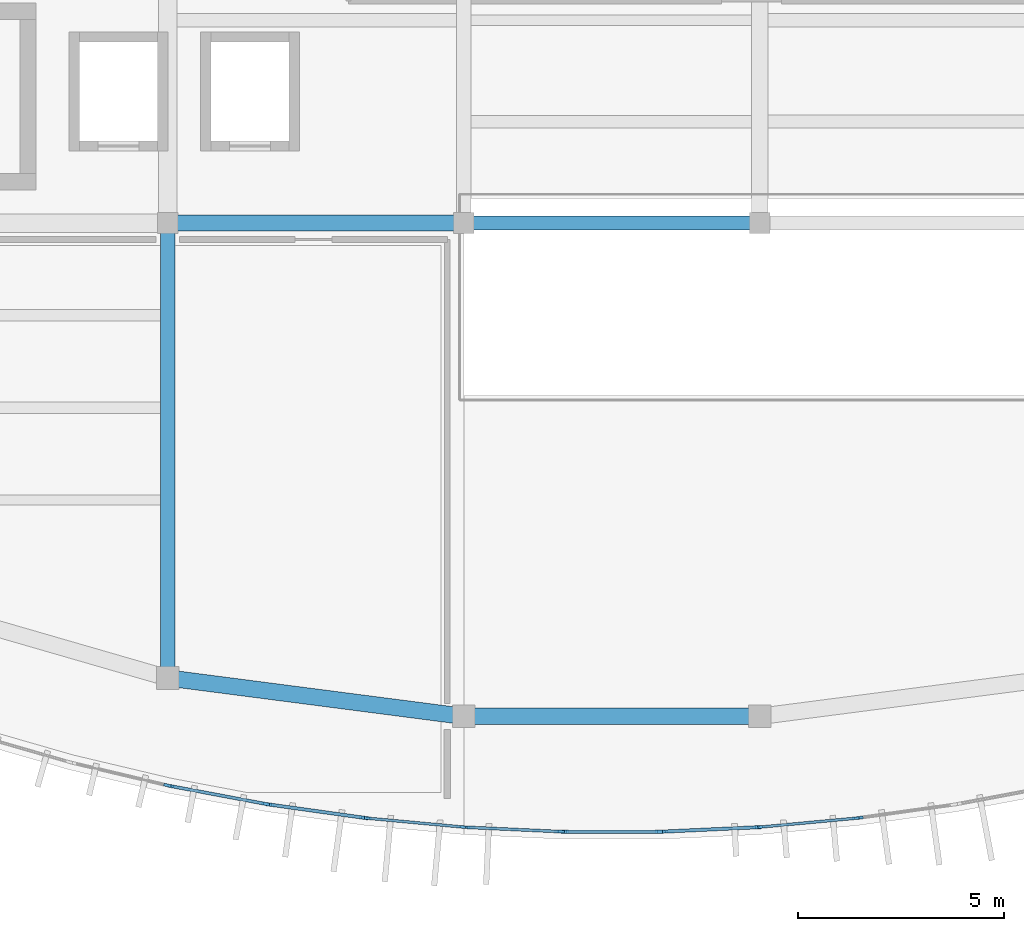
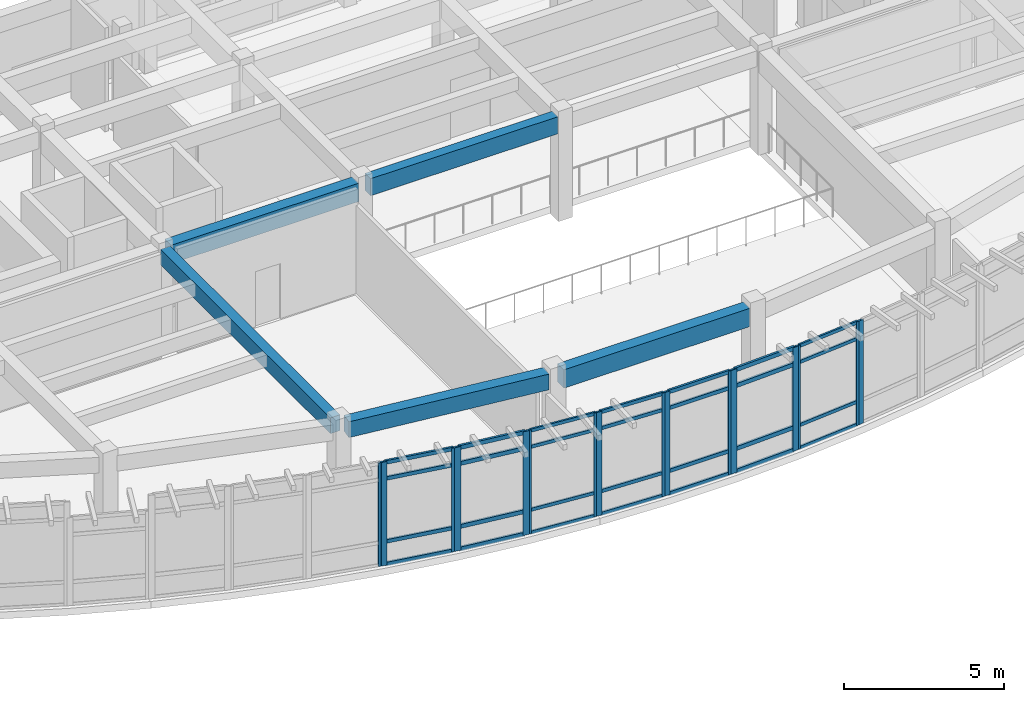
# One storey, part 22 of 60: 44 members, 5 beams, 9 elements without a shape of their own.
"""IFC4 building model written with IfcOpenShell, lengths in metres."""

from ifc_helpers import new_model, si_unit, direction, frame, origin, origin_2d, place, context, subcontext, project, spatial, rectangle, extrude, material, layer, layer_set, material_profile, profile_set, type_object, element, aggregate, save


model = new_model("IFC4")

# Units and contexts
model_context = context("Model", 3, precision=1e-05, world=origin(), true_north=direction((0.0, 1.0)))
body_context = subcontext(model_context, "Body", "Model", "MODEL_VIEW")
ifc_project = project(units=[si_unit("LENGTHUNIT", "METRE"), si_unit("AREAUNIT", "SQUARE_METRE"), si_unit("VOLUMEUNIT", "CUBIC_METRE"), si_unit("PLANEANGLEUNIT", "RADIAN"), si_unit("MASSUNIT", "GRAM", prefix="KILO")], contexts=[model_context])

# Site, building, storey
site_placement = place(None, origin())
site = spatial("IfcSite", under=ifc_project, at=site_placement, CompositionType="ELEMENT")
building_placement = place(site_placement, origin())
building = spatial("IfcBuilding", under=site, at=building_placement, Name="Brisavento Harbour Community Centre", CompositionType="ELEMENT")
storey_placement = place(building_placement, frame((0.0, 0.0, 4.5)))
storey = spatial("IfcBuildingStorey", under=building, at=storey_placement, Name="L01", CompositionType="ELEMENT", Elevation=4.5)

# Beams
ifc_material_1 = material(Name="Concrete C35/45", Category="concrete")
ifc_material_profile_1 = material_profile(ifc_material_1, rectangle(XDim=0.35009765625, YDim=0.60009765625, at=origin_2d()), Name="Concrete C35/45")
ifc_profile_set_1 = profile_set([ifc_material_profile_1], Name="Concrete C35/45")
beam_type_1 = type_object("IfcBeamType", Name="BM-RC-350x600", PredefinedType="BEAM", material=ifc_profile_set_1)
beam_1_placement = place(storey_placement, frame((129.60009765625, 4.178955078125, 3.64990234375), z_axis=(0.0, 1.0, 0.0), x_axis=(-1.0, 0.0, 0.0)))
element("IfcBeam", 1, at=beam_1_placement, inside=storey, type_object=beam_type_1, Name="L01 primary girder Y0509", PredefinedType="BEAM", context=body_context, shape_type="SweptSolid", body=[
    extrude(rectangle(XDim=0.35009765625, YDim=0.60009765625, at=origin_2d()), origin(), (0.0, 0.0, 1.0), 10.60107421875),
])
ifc_material_profile_2 = material_profile(ifc_material_1, rectangle(XDim=0.35009765625, YDim=0.64990234375, at=origin_2d()), Name="Concrete C35/45")
ifc_profile_set_2 = profile_set([ifc_material_profile_2], Name="Concrete C35/45")
beam_type_2 = type_object("IfcBeamType", Name="BM-RC-350x650", PredefinedType="BEAM", material=ifc_profile_set_2)
beam_2_placement = place(storey_placement, frame((137.02001953125, 15.0, 3.625), z_axis=(1.0, 0.0, 0.0), x_axis=(0.0, 1.0, 0.0)))
element("IfcBeam", 2, at=beam_2_placement, inside=storey, type_object=beam_type_2, Name="L01 primary girder X0413", PredefinedType="BEAM", context=body_context, shape_type="SweptSolid", body=[
    extrude(rectangle(XDim=0.35009765625, YDim=0.64990234375, at=origin_2d()), origin(), (0.0, 0.0, 1.0), 6.760009765625),
])
ifc_material_profile_3 = material_profile(ifc_material_1, rectangle(XDim=0.39990234375, YDim=0.699951171875, at=origin_2d()), Name="Concrete C35/45")
ifc_profile_set_3 = profile_set([ifc_material_profile_3], Name="Concrete C35/45")
beam_type_3 = type_object("IfcBeamType", Name="BM-RC-400x700", PredefinedType="BEAM", material=ifc_profile_set_3)
beam_3_placement = place(storey_placement, frame((137.044921875, 3.0, 3.60009765625), z_axis=(1.0, 0.0, 0.0), x_axis=(0.0, 1.0, 0.0)))
element("IfcBeam", 3, at=beam_3_placement, inside=storey, type_object=beam_type_3, Name="L01 primary girder X0407", PredefinedType="BEAM", context=body_context, shape_type="SweptSolid", body=[
    extrude(rectangle(XDim=0.39990234375, YDim=0.699951171875, at=origin_2d()), origin(), (0.0, 0.0, 1.0), 6.7099609375),
])
beam_4_placement = place(storey_placement, frame((129.820068359375, 15.0, 3.60009765625), z_axis=(1.0, 0.0, 0.0), x_axis=(0.0, 1.0, 0.0)))
element("IfcBeam", 4, at=beam_4_placement, inside=storey, type_object=beam_type_3, Name="L01 primary girder X0412", PredefinedType="BEAM", context=body_context, shape_type="SweptSolid", body=[
    extrude(rectangle(XDim=0.39990234375, YDim=0.699951171875, at=origin_2d()), origin(), (0.0, 0.0, 1.0), 6.760009765625),
])
ifc_material_profile_4 = material_profile(ifc_material_1, rectangle(XDim=0.39990234375, YDim=0.60009765625, at=origin_2d()), Name="Concrete C35/45")
ifc_profile_set_4 = profile_set([ifc_material_profile_4], Name="Concrete C35/45")
beam_type_4 = type_object("IfcBeamType", Name="BM-SPN-400x600", PredefinedType="SPANDREL", material=ifc_profile_set_4)
beam_5_placement = place(storey_placement, frame((129.843017578125, 3.902587890625, 3.64990234375), z_axis=(0.991687856755, -0.128666991742, 0.0), x_axis=(0.128666991742, 0.991687856755, 0.0)))
element("IfcBeam", 5, at=beam_5_placement, inside=storey, type_object=beam_type_4, Name="L01 curved perimeter spandrel 0539", PredefinedType="SPANDREL", context=body_context, shape_type="SweptSolid", body=[
    extrude(rectangle(XDim=0.39990234375, YDim=0.60009765625, at=origin_2d()), origin(), (0.0, 0.0, 1.0), 6.77001953125),
])

# Curtain wall, members
ifc_material_2 = material(Name="Marine-anodised aluminium AW-6063-T6", Category="aluminium")
ifc_layer_1 = layer(ifc_material_2, 0.179931640625, Name="Marine-anodised aluminium AW-6063-T6")
ifc_layer_set_1 = layer_set([ifc_layer_1], Name="Marine-anodised aluminium AW-6063-T6")
curtain_wall_type_1 = type_object("IfcCurtainWallType", Name="CW-SYS-13", PredefinedType="USERDEFINED", material=ifc_layer_set_1)
curtain_wall_1_placement = place(storey_placement, origin())
curtain_wall_1 = element("IfcCurtainWall", 6, at=curtain_wall_1_placement, inside=storey, type_object=curtain_wall_type_1, Name="L01 V3 unitised curtain wall 069", ObjectType="UNITISED CURTAIN WALL", PredefinedType="USERDEFINED")
ifc_material_profile_5 = material_profile(ifc_material_2, rectangle(XDim=0.06494140625, YDim=0.1650390625, at=origin_2d()), Name="Marine-anodised aluminium AW-6063-T6")
ifc_profile_set_5 = profile_set([ifc_material_profile_5], Name="Marine-anodised aluminium AW-6063-T6")
member_type_1 = type_object("IfcMemberType", Name="CWM-01", PredefinedType="MULLION", material=ifc_profile_set_5)
member_1_placement = place(storey_placement, frame((136.766357421875, 0.30859375, 0.0), z_axis=(0.0, 0.0, 1.0), x_axis=(-0.092278635218, -0.995733224053, 0.0)))
member_1 = element("IfcMember", 7, at=member_1_placement, type_object=member_type_1, Name="CW-13 mullion 1", PredefinedType="MULLION", context=body_context, shape_type="SweptSolid", body=[
    extrude(rectangle(XDim=0.06494140625, YDim=0.1650390625, at=origin_2d()), origin(), (0.0, 0.0, 1.0), 3.949951171875),
])
member_2_placement = place(storey_placement, frame((134.466796875, 0.521728515625, 0.0), z_axis=(0.0, 0.0, 1.0), x_axis=(-0.092278635218, -0.995733224053, 0.0)))
member_2 = element("IfcMember", 8, at=member_2_placement, type_object=member_type_1, Name="CW-13 mullion 2", PredefinedType="MULLION", context=body_context, shape_type="SweptSolid", body=[
    extrude(rectangle(XDim=0.06494140625, YDim=0.1650390625, at=origin_2d()), origin(), (0.0, 0.0, 1.0), 3.949951171875),
])

ifc_layer_2 = layer(ifc_material_2, 0.179931640625, Name="Marine-anodised aluminium AW-6063-T6")
ifc_layer_set_2 = layer_set([ifc_layer_2], Name="Marine-anodised aluminium AW-6063-T6")
curtain_wall_type_2 = type_object("IfcCurtainWallType", Name="CW-SYS-17", PredefinedType="USERDEFINED", material=ifc_layer_set_2)
curtain_wall_2_placement = place(storey_placement, origin())
curtain_wall_2 = element("IfcCurtainWall", 9, at=curtain_wall_2_placement, inside=storey, type_object=curtain_wall_type_2, Name="L01 V3 unitised curtain wall 073", ObjectType="UNITISED CURTAIN WALL", PredefinedType="USERDEFINED")
member_3_placement = place(storey_placement, frame((146.333251953125, 0.521728515625, 0.0), z_axis=(0.0, 0.0, 1.0), x_axis=(0.092278635218, -0.995733224053, 0.0)))
member_3 = element("IfcMember", 10, at=member_3_placement, type_object=member_type_1, Name="CW-17 mullion 1", PredefinedType="MULLION", context=body_context, shape_type="SweptSolid", body=[
    extrude(rectangle(XDim=0.06494140625, YDim=0.1650390625, at=origin_2d()), origin(), (0.0, 0.0, 1.0), 3.949951171875),
])
member_4_placement = place(storey_placement, frame((144.03369140625, 0.30859375, 0.0), z_axis=(0.0, 0.0, 1.0), x_axis=(0.092278635218, -0.995733224053, 0.0)))
member_4 = element("IfcMember", 11, at=member_4_placement, type_object=member_type_1, Name="CW-17 mullion 2", PredefinedType="MULLION", context=body_context, shape_type="SweptSolid", body=[
    extrude(rectangle(XDim=0.06494140625, YDim=0.1650390625, at=origin_2d()), origin(), (0.0, 0.0, 1.0), 3.949951171875),
])

# Curtain wall, member
ifc_layer_3 = layer(ifc_material_2, 0.179931640625, Name="Marine-anodised aluminium AW-6063-T6")
ifc_layer_set_3 = layer_set([ifc_layer_3], Name="Marine-anodised aluminium AW-6063-T6")
curtain_wall_type_3 = type_object("IfcCurtainWallType", Name="CW-SYS-10", PredefinedType="USERDEFINED", material=ifc_layer_set_3)
curtain_wall_3_placement = place(storey_placement, origin())
curtain_wall_3 = element("IfcCurtainWall", 12, at=curtain_wall_3_placement, inside=storey, type_object=curtain_wall_type_3, Name="L01 V3 unitised curtain wall 066", ObjectType="UNITISED CURTAIN WALL", PredefinedType="USERDEFINED")
ifc_material_profile_6 = material_profile(ifc_material_2, rectangle(XDim=0.070068359375, YDim=0.179931640625, at=origin_2d()), Name="Marine-anodised aluminium AW-6063-T6")
ifc_profile_set_6 = profile_set([ifc_material_profile_6], Name="Marine-anodised aluminium AW-6063-T6")
member_type_2 = type_object("IfcMemberType", Name="CWM-02", PredefinedType="MULLION", material=ifc_profile_set_6)
member_5_placement = place(storey_placement, frame((129.590087890625, 1.3212890625, 0.0), z_axis=(0.0, 0.0, 1.0), x_axis=(-0.230804675748, -0.973000103624, 0.0)))
member_5 = element("IfcMember", 13, at=member_5_placement, type_object=member_type_2, Name="CW-10 mullion 1", PredefinedType="MULLION", context=body_context, shape_type="SweptSolid", body=[
    extrude(rectangle(XDim=0.070068359375, YDim=0.179931640625, at=origin_2d()), origin(), (0.0, 0.0, 1.0), 3.949951171875),
])
aggregate(curtain_wall_3, [member_5])

# Curtain wall, members
ifc_layer_4 = layer(ifc_material_2, 0.179931640625, Name="Marine-anodised aluminium AW-6063-T6")
ifc_layer_set_4 = layer_set([ifc_layer_4], Name="Marine-anodised aluminium AW-6063-T6")
curtain_wall_type_4 = type_object("IfcCurtainWallType", Name="CW-SYS-14", PredefinedType="USERDEFINED", material=ifc_layer_set_4)
curtain_wall_4_placement = place(storey_placement, origin())
curtain_wall_4 = element("IfcCurtainWall", 14, at=curtain_wall_4_placement, inside=storey, type_object=curtain_wall_type_4, Name="L01 V3 unitised curtain wall 070", ObjectType="UNITISED CURTAIN WALL", PredefinedType="USERDEFINED")
member_6_placement = place(storey_placement, frame((139.1552734375, 0.196044921875, 0.0), z_axis=(0.0, 0.0, 1.0), x_axis=(-0.046185855346, -0.998932863993, 0.0)))
member_6 = element("IfcMember", 15, at=member_6_placement, type_object=member_type_2, Name="CW-14 mullion 1", PredefinedType="MULLION", context=body_context, shape_type="SweptSolid", body=[
    extrude(rectangle(XDim=0.070068359375, YDim=0.179931640625, at=origin_2d()), origin(), (0.0, 0.0, 1.0), 3.949951171875),
])
member_7_placement = place(storey_placement, frame((136.861328125, 0.30224609375, 0.0), z_axis=(0.0, 0.0, 1.0), x_axis=(-0.046185855346, -0.998932863993, 0.0)))
member_7 = element("IfcMember", 16, at=member_7_placement, type_object=member_type_2, Name="CW-14 mullion 2", PredefinedType="MULLION", context=body_context, shape_type="SweptSolid", body=[
    extrude(rectangle(XDim=0.070068359375, YDim=0.179931640625, at=origin_2d()), origin(), (0.0, 0.0, 1.0), 3.949951171875),
])

# Curtain wall, member
ifc_layer_5 = layer(ifc_material_2, 0.179931640625, Name="Marine-anodised aluminium AW-6063-T6")
ifc_layer_set_5 = layer_set([ifc_layer_5], Name="Marine-anodised aluminium AW-6063-T6")
curtain_wall_type_5 = type_object("IfcCurtainWallType", Name="CW-SYS-18", PredefinedType="USERDEFINED", material=ifc_layer_set_5)
curtain_wall_5_placement = place(storey_placement, origin())
curtain_wall_5 = element("IfcCurtainWall", 17, at=curtain_wall_5_placement, inside=storey, type_object=curtain_wall_type_5, Name="L01 V3 unitised curtain wall 074", ObjectType="UNITISED CURTAIN WALL", PredefinedType="USERDEFINED")
member_8_placement = place(storey_placement, frame((146.427490234375, 0.532958984375, 0.0), z_axis=(0.0, 0.0, 1.0), x_axis=(0.138476944024, -0.990365657711, 0.0)))
member_8 = element("IfcMember", 18, at=member_8_placement, type_object=member_type_2, Name="CW-18 mullion 2", PredefinedType="MULLION", context=body_context, shape_type="SweptSolid", body=[
    extrude(rectangle(XDim=0.070068359375, YDim=0.179931640625, at=origin_2d()), origin(), (0.0, 0.0, 1.0), 3.949951171875),
])
aggregate(curtain_wall_5, [member_8])

# Curtain wall, members
ifc_layer_6 = layer(ifc_material_2, 0.179931640625, Name="Marine-anodised aluminium AW-6063-T6")
ifc_layer_set_6 = layer_set([ifc_layer_6], Name="Marine-anodised aluminium AW-6063-T6")
curtain_wall_type_6 = type_object("IfcCurtainWallType", Name="CW-SYS-11", PredefinedType="USERDEFINED", material=ifc_layer_set_6)
curtain_wall_6_placement = place(storey_placement, origin())
curtain_wall_6 = element("IfcCurtainWall", 19, at=curtain_wall_6_placement, inside=storey, type_object=curtain_wall_type_6, Name="L01 V3 unitised curtain wall 067", ObjectType="UNITISED CURTAIN WALL", PredefinedType="USERDEFINED")
ifc_material_profile_7 = material_profile(ifc_material_2, rectangle(XDim=0.074951171875, YDim=0.18994140625, at=origin_2d()), Name="Marine-anodised aluminium AW-6063-T6")
ifc_profile_set_7 = profile_set([ifc_material_profile_7], Name="Marine-anodised aluminium AW-6063-T6")
member_type_3 = type_object("IfcMemberType", Name="CWM-03", PredefinedType="MULLION", material=ifc_profile_set_7)
member_9_placement = place(storey_placement, frame((131.978759765625, 0.8701171875, 0.0), z_axis=(0.0, 0.0, 1.0), x_axis=(-0.184664942245, -0.98280153597, 0.0)))
member_9 = element("IfcMember", 20, at=member_9_placement, type_object=member_type_3, Name="CW-11 mullion 1", PredefinedType="MULLION", context=body_context, shape_type="SweptSolid", body=[
    extrude(rectangle(XDim=0.074951171875, YDim=0.18994140625, at=origin_2d()), origin(), (0.0, 0.0, 1.0), 3.949951171875),
])
member_10_placement = place(storey_placement, frame((129.687744140625, 1.300537109375, 0.0), z_axis=(0.0, 0.0, 1.0), x_axis=(-0.184664942245, -0.98280153597, 0.0)))
member_10 = element("IfcMember", 21, at=member_10_placement, type_object=member_type_3, Name="CW-11 mullion 2", PredefinedType="MULLION", context=body_context, shape_type="SweptSolid", body=[
    extrude(rectangle(XDim=0.074951171875, YDim=0.18994140625, at=origin_2d()), origin(), (0.0, 0.0, 1.0), 3.949951171875),
])

ifc_layer_7 = layer(ifc_material_2, 0.179931640625, Name="Marine-anodised aluminium AW-6063-T6")
ifc_layer_set_7 = layer_set([ifc_layer_7], Name="Marine-anodised aluminium AW-6063-T6")
curtain_wall_type_7 = type_object("IfcCurtainWallType", Name="CW-SYS-15", PredefinedType="USERDEFINED", material=ifc_layer_set_7)
curtain_wall_7_placement = place(storey_placement, origin())
curtain_wall_7 = element("IfcCurtainWall", 22, at=curtain_wall_7_placement, inside=storey, type_object=curtain_wall_type_7, Name="L01 V3 unitised curtain wall 071", ObjectType="UNITISED CURTAIN WALL", PredefinedType="USERDEFINED")
member_11_placement = place(storey_placement, frame((141.54443359375, 0.19384765625, 0.0), z_axis=(0.0, 0.0, 1.0), x_axis=(0.0, -1.0, 0.0)))
member_11 = element("IfcMember", 23, at=member_11_placement, type_object=member_type_3, Name="CW-15 mullion 1", PredefinedType="MULLION", context=body_context, shape_type="SweptSolid", body=[
    extrude(rectangle(XDim=0.074951171875, YDim=0.18994140625, at=origin_2d()), origin(), (0.0, 0.0, 1.0), 3.949951171875),
])
member_12_placement = place(storey_placement, frame((139.255615234375, 0.19384765625, 0.0), z_axis=(0.0, 0.0, 1.0), x_axis=(0.0, -1.0, 0.0)))
member_12 = element("IfcMember", 24, at=member_12_placement, type_object=member_type_3, Name="CW-15 mullion 2", PredefinedType="MULLION", context=body_context, shape_type="SweptSolid", body=[
    extrude(rectangle(XDim=0.074951171875, YDim=0.18994140625, at=origin_2d()), origin(), (0.0, 0.0, 1.0), 3.949951171875),
])

ifc_layer_8 = layer(ifc_material_2, 0.179931640625, Name="Marine-anodised aluminium AW-6063-T6")
ifc_layer_set_8 = layer_set([ifc_layer_8], Name="Marine-anodised aluminium AW-6063-T6")
curtain_wall_type_8 = type_object("IfcCurtainWallType", Name="CW-SYS-12", PredefinedType="USERDEFINED", material=ifc_layer_set_8)
curtain_wall_8_placement = place(storey_placement, origin())
curtain_wall_8 = element("IfcCurtainWall", 25, at=curtain_wall_8_placement, inside=storey, type_object=curtain_wall_type_8, Name="L01 V3 unitised curtain wall 068", ObjectType="UNITISED CURTAIN WALL", PredefinedType="USERDEFINED")
ifc_material_profile_8 = material_profile(ifc_material_2, rectangle(XDim=0.080078125, YDim=0.2099609375, at=origin_2d()), Name="Marine-anodised aluminium AW-6063-T6")
ifc_profile_set_8 = profile_set([ifc_material_profile_8], Name="Marine-anodised aluminium AW-6063-T6")
member_type_4 = type_object("IfcMemberType", Name="CWM-04", PredefinedType="MULLION", material=ifc_profile_set_8)
member_13_placement = place(storey_placement, frame((134.367431640625, 0.53369140625, 0.0), z_axis=(0.0, 0.0, 1.0), x_axis=(-0.138476944024, -0.990365657711, 0.0)))
member_13 = element("IfcMember", 26, at=member_13_placement, type_object=member_type_4, Name="CW-12 mullion 1", PredefinedType="MULLION", context=body_context, shape_type="SweptSolid", body=[
    extrude(rectangle(XDim=0.080078125, YDim=0.2099609375, at=origin_2d()), origin(), (0.0, 0.0, 1.0), 3.949951171875),
])
member_14_placement = place(storey_placement, frame((132.082275390625, 0.853271484375, 0.0), z_axis=(0.0, 0.0, 1.0), x_axis=(-0.138476944024, -0.990365657711, 0.0)))
member_14 = element("IfcMember", 27, at=member_14_placement, type_object=member_type_4, Name="CW-12 mullion 2", PredefinedType="MULLION", context=body_context, shape_type="SweptSolid", body=[
    extrude(rectangle(XDim=0.080078125, YDim=0.2099609375, at=origin_2d()), origin(), (0.0, 0.0, 1.0), 3.949951171875),
])

ifc_layer_9 = layer(ifc_material_2, 0.179931640625, Name="Marine-anodised aluminium AW-6063-T6")
ifc_layer_set_9 = layer_set([ifc_layer_9], Name="Marine-anodised aluminium AW-6063-T6")
curtain_wall_type_9 = type_object("IfcCurtainWallType", Name="CW-SYS-16", PredefinedType="USERDEFINED", material=ifc_layer_set_9)
curtain_wall_9_placement = place(storey_placement, origin())
curtain_wall_9 = element("IfcCurtainWall", 28, at=curtain_wall_9_placement, inside=storey, type_object=curtain_wall_type_9, Name="L01 V3 unitised curtain wall 072", ObjectType="UNITISED CURTAIN WALL", PredefinedType="USERDEFINED")
member_15_placement = place(storey_placement, frame((143.933837890625, 0.302001953125, 0.0), z_axis=(0.0, 0.0, 1.0), x_axis=(0.046185855346, -0.998932863993, 0.0)))
member_15 = element("IfcMember", 29, at=member_15_placement, type_object=member_type_4, Name="CW-16 mullion 1", PredefinedType="MULLION", context=body_context, shape_type="SweptSolid", body=[
    extrude(rectangle(XDim=0.080078125, YDim=0.2099609375, at=origin_2d()), origin(), (0.0, 0.0, 1.0), 3.949951171875),
])
member_16_placement = place(storey_placement, frame((141.649658203125, 0.1962890625, 0.0), z_axis=(0.0, 0.0, 1.0), x_axis=(0.046185855346, -0.998932863993, 0.0)))
member_16 = element("IfcMember", 30, at=member_16_placement, type_object=member_type_4, Name="CW-16 mullion 2", PredefinedType="MULLION", context=body_context, shape_type="SweptSolid", body=[
    extrude(rectangle(XDim=0.080078125, YDim=0.2099609375, at=origin_2d()), origin(), (0.0, 0.0, 1.0), 3.949951171875),
])

# Member
ifc_material_profile_9 = material_profile(ifc_material_2, rectangle(XDim=0.06494140625, YDim=0.125, at=origin_2d()), Name="Marine-anodised aluminium AW-6063-T6")
ifc_profile_set_9 = profile_set([ifc_material_profile_9], Name="Marine-anodised aluminium AW-6063-T6")
member_type_5 = type_object("IfcMemberType", Name="CWT-01", PredefinedType="USERDEFINED", material=ifc_profile_set_9)
member_17_placement = place(storey_placement, frame((136.73388671875, 0.311767578125, 0.032470703125), z_axis=(-0.995735678931, 0.092252142001, 0.0), x_axis=(-0.092252142001, -0.995735678931, 0.0)))
member_17 = element("IfcMember", 31, at=member_17_placement, type_object=member_type_5, Name="CW-13 transom 1.1", ObjectType="TRANSOM", PredefinedType="USERDEFINED", context=body_context, shape_type="SweptSolid", body=[
    extrude(rectangle(XDim=0.06494140625, YDim=0.125, at=origin_2d()), origin(), (0.0, 0.0, 1.0), 2.244140625),
])

member_18_placement = place(storey_placement, frame((136.73388671875, 0.311767578125, 0.89990234375), z_axis=(-0.995735678931, 0.092252142001, 0.0), x_axis=(-0.092252142001, -0.995735678931, 0.0)))
member_18 = element("IfcMember", 32, at=member_18_placement, type_object=member_type_5, Name="CW-13 transom 1.2", ObjectType="TRANSOM", PredefinedType="USERDEFINED", context=body_context, shape_type="SweptSolid", body=[
    extrude(rectangle(XDim=0.06494140625, YDim=0.125, at=origin_2d()), origin(), (0.0, 0.0, 1.0), 2.244140625),
])

member_19_placement = place(storey_placement, frame((136.73388671875, 0.311767578125, 3.300048828125), z_axis=(-0.995735678931, 0.092252142001, 0.0), x_axis=(-0.092252142001, -0.995735678931, 0.0)))
member_19 = element("IfcMember", 33, at=member_19_placement, type_object=member_type_5, Name="CW-13 transom 1.3", ObjectType="TRANSOM", PredefinedType="USERDEFINED", context=body_context, shape_type="SweptSolid", body=[
    extrude(rectangle(XDim=0.06494140625, YDim=0.125, at=origin_2d()), origin(), (0.0, 0.0, 1.0), 2.244140625),
])

member_20_placement = place(storey_placement, frame((136.73388671875, 0.311767578125, 3.91748046875), z_axis=(-0.995735678931, 0.092252142001, 0.0), x_axis=(-0.092252142001, -0.995735678931, 0.0)))
member_20 = element("IfcMember", 34, at=member_20_placement, type_object=member_type_5, Name="CW-13 transom 1.4", ObjectType="TRANSOM", PredefinedType="USERDEFINED", context=body_context, shape_type="SweptSolid", body=[
    extrude(rectangle(XDim=0.06494140625, YDim=0.125, at=origin_2d()), origin(), (0.0, 0.0, 1.0), 2.244140625),
])

aggregate(curtain_wall_1, [member_1, member_2, member_17, member_18, member_19, member_20])

member_21_placement = place(storey_placement, frame((146.30078125, 0.518798828125, 0.032470703125), z_axis=(-0.995736604615, -0.092242149958, 0.0), x_axis=(0.092242149958, -0.995736604615, 0.0)))
member_21 = element("IfcMember", 35, at=member_21_placement, type_object=member_type_5, Name="CW-17 transom 1.1", ObjectType="TRANSOM", PredefinedType="USERDEFINED", context=body_context, shape_type="SweptSolid", body=[
    extrude(rectangle(XDim=0.06494140625, YDim=0.125, at=origin_2d()), origin(), (0.0, 0.0, 1.0), 2.244384765625),
])

member_22_placement = place(storey_placement, frame((146.30078125, 0.518798828125, 0.89990234375), z_axis=(-0.995736604615, -0.092242149958, 0.0), x_axis=(0.092242149958, -0.995736604615, 0.0)))
member_22 = element("IfcMember", 36, at=member_22_placement, type_object=member_type_5, Name="CW-17 transom 1.2", ObjectType="TRANSOM", PredefinedType="USERDEFINED", context=body_context, shape_type="SweptSolid", body=[
    extrude(rectangle(XDim=0.06494140625, YDim=0.125, at=origin_2d()), origin(), (0.0, 0.0, 1.0), 2.244384765625),
])

member_23_placement = place(storey_placement, frame((146.30078125, 0.518798828125, 3.300048828125), z_axis=(-0.995736604615, -0.092242149958, 0.0), x_axis=(0.092242149958, -0.995736604615, 0.0)))
member_23 = element("IfcMember", 37, at=member_23_placement, type_object=member_type_5, Name="CW-17 transom 1.3", ObjectType="TRANSOM", PredefinedType="USERDEFINED", context=body_context, shape_type="SweptSolid", body=[
    extrude(rectangle(XDim=0.06494140625, YDim=0.125, at=origin_2d()), origin(), (0.0, 0.0, 1.0), 2.244384765625),
])

member_24_placement = place(storey_placement, frame((146.30078125, 0.518798828125, 3.91748046875), z_axis=(-0.995736604615, -0.092242149958, 0.0), x_axis=(0.092242149958, -0.995736604615, 0.0)))
member_24 = element("IfcMember", 38, at=member_24_placement, type_object=member_type_5, Name="CW-17 transom 1.4", ObjectType="TRANSOM", PredefinedType="USERDEFINED", context=body_context, shape_type="SweptSolid", body=[
    extrude(rectangle(XDim=0.06494140625, YDim=0.125, at=origin_2d()), origin(), (0.0, 0.0, 1.0), 2.244384765625),
])

aggregate(curtain_wall_2, [member_3, member_4, member_21, member_22, member_23, member_24])

ifc_material_profile_10 = material_profile(ifc_material_2, rectangle(XDim=0.070068359375, YDim=0.132080078125, at=origin_2d()), Name="Marine-anodised aluminium AW-6063-T6")
ifc_profile_set_10 = profile_set([ifc_material_profile_10], Name="Marine-anodised aluminium AW-6063-T6")
member_type_6 = type_object("IfcMemberType", Name="CWT-02", PredefinedType="USERDEFINED", material=ifc_profile_set_10)
member_25_placement = place(storey_placement, frame((139.120361328125, 0.19775390625, 0.034912109375), z_axis=(-0.998933888813, 0.046163684653, 0.0), x_axis=(-0.046163684653, -0.998933888813, 0.0)))
member_25 = element("IfcMember", 39, at=member_25_placement, type_object=member_type_6, Name="CW-14 transom 1.1", ObjectType="TRANSOM", PredefinedType="USERDEFINED", context=body_context, shape_type="SweptSolid", body=[
    extrude(rectangle(XDim=0.070068359375, YDim=0.132080078125, at=origin_2d()), origin(), (0.0, 0.0, 1.0), 2.2265625),
])

member_26_placement = place(storey_placement, frame((139.120361328125, 0.19775390625, 0.89990234375), z_axis=(-0.998933888813, 0.046163684653, 0.0), x_axis=(-0.046163684653, -0.998933888813, 0.0)))
member_26 = element("IfcMember", 40, at=member_26_placement, type_object=member_type_6, Name="CW-14 transom 1.2", ObjectType="TRANSOM", PredefinedType="USERDEFINED", context=body_context, shape_type="SweptSolid", body=[
    extrude(rectangle(XDim=0.070068359375, YDim=0.132080078125, at=origin_2d()), origin(), (0.0, 0.0, 1.0), 2.2265625),
])

member_27_placement = place(storey_placement, frame((139.120361328125, 0.19775390625, 3.300048828125), z_axis=(-0.998933888813, 0.046163684653, 0.0), x_axis=(-0.046163684653, -0.998933888813, 0.0)))
member_27 = element("IfcMember", 41, at=member_27_placement, type_object=member_type_6, Name="CW-14 transom 1.3", ObjectType="TRANSOM", PredefinedType="USERDEFINED", context=body_context, shape_type="SweptSolid", body=[
    extrude(rectangle(XDim=0.070068359375, YDim=0.132080078125, at=origin_2d()), origin(), (0.0, 0.0, 1.0), 2.2265625),
])

member_28_placement = place(storey_placement, frame((139.120361328125, 0.19775390625, 3.9150390625), z_axis=(-0.998933888813, 0.046163684653, 0.0), x_axis=(-0.046163684653, -0.998933888813, 0.0)))
member_28 = element("IfcMember", 42, at=member_28_placement, type_object=member_type_6, Name="CW-14 transom 1.4", ObjectType="TRANSOM", PredefinedType="USERDEFINED", context=body_context, shape_type="SweptSolid", body=[
    extrude(rectangle(XDim=0.070068359375, YDim=0.132080078125, at=origin_2d()), origin(), (0.0, 0.0, 1.0), 2.2265625),
])

aggregate(curtain_wall_4, [member_6, member_7, member_25, member_26, member_27, member_28])

ifc_material_profile_11 = material_profile(ifc_material_2, rectangle(XDim=0.074951171875, YDim=0.139892578125, at=origin_2d()), Name="Marine-anodised aluminium AW-6063-T6")
ifc_profile_set_11 = profile_set([ifc_material_profile_11], Name="Marine-anodised aluminium AW-6063-T6")
member_type_7 = type_object("IfcMemberType", Name="CWT-03", PredefinedType="USERDEFINED", material=ifc_profile_set_11)
member_29_placement = place(storey_placement, frame((131.94189453125, 0.876953125, 0.03759765625), z_axis=(-0.982791238789, 0.184719736249, 0.0), x_axis=(-0.184719736249, -0.982791238789, 0.0)))
member_29 = element("IfcMember", 43, at=member_29_placement, type_object=member_type_7, Name="CW-11 transom 1.1", ObjectType="TRANSOM", PredefinedType="USERDEFINED", context=body_context, shape_type="SweptSolid", body=[
    extrude(rectangle(XDim=0.074951171875, YDim=0.139892578125, at=origin_2d()), origin(), (0.0, 0.0, 1.0), 2.256103515625),
])

member_30_placement = place(storey_placement, frame((131.94189453125, 0.876953125, 0.89990234375), z_axis=(-0.982791238789, 0.184719736249, 0.0), x_axis=(-0.184719736249, -0.982791238789, 0.0)))
member_30 = element("IfcMember", 44, at=member_30_placement, type_object=member_type_7, Name="CW-11 transom 1.2", ObjectType="TRANSOM", PredefinedType="USERDEFINED", context=body_context, shape_type="SweptSolid", body=[
    extrude(rectangle(XDim=0.074951171875, YDim=0.139892578125, at=origin_2d()), origin(), (0.0, 0.0, 1.0), 2.256103515625),
])

member_31_placement = place(storey_placement, frame((131.94189453125, 0.876953125, 3.300048828125), z_axis=(-0.982791238789, 0.184719736249, 0.0), x_axis=(-0.184719736249, -0.982791238789, 0.0)))
member_31 = element("IfcMember", 45, at=member_31_placement, type_object=member_type_7, Name="CW-11 transom 1.3", ObjectType="TRANSOM", PredefinedType="USERDEFINED", context=body_context, shape_type="SweptSolid", body=[
    extrude(rectangle(XDim=0.074951171875, YDim=0.139892578125, at=origin_2d()), origin(), (0.0, 0.0, 1.0), 2.256103515625),
])

member_32_placement = place(storey_placement, frame((131.94189453125, 0.876953125, 3.91259765625), z_axis=(-0.982791238789, 0.184719736249, 0.0), x_axis=(-0.184719736249, -0.982791238789, 0.0)))
member_32 = element("IfcMember", 46, at=member_32_placement, type_object=member_type_7, Name="CW-11 transom 1.4", ObjectType="TRANSOM", PredefinedType="USERDEFINED", context=body_context, shape_type="SweptSolid", body=[
    extrude(rectangle(XDim=0.074951171875, YDim=0.139892578125, at=origin_2d()), origin(), (0.0, 0.0, 1.0), 2.256103515625),
])

aggregate(curtain_wall_6, [member_9, member_10, member_29, member_30, member_31, member_32])

member_33_placement = place(storey_placement, frame((141.507080078125, 0.19384765625, 0.03759765625), z_axis=(-1.0, 0.0, 0.0), x_axis=(0.0, -1.0, 0.0)))
member_33 = element("IfcMember", 47, at=member_33_placement, type_object=member_type_7, Name="CW-15 transom 1.1", ObjectType="TRANSOM", PredefinedType="USERDEFINED", context=body_context, shape_type="SweptSolid", body=[
    extrude(rectangle(XDim=0.074951171875, YDim=0.139892578125, at=origin_2d()), origin(), (0.0, 0.0, 1.0), 2.214111328125),
])

member_34_placement = place(storey_placement, frame((141.507080078125, 0.19384765625, 0.89990234375), z_axis=(-1.0, 0.0, 0.0), x_axis=(0.0, -1.0, 0.0)))
member_34 = element("IfcMember", 48, at=member_34_placement, type_object=member_type_7, Name="CW-15 transom 1.2", ObjectType="TRANSOM", PredefinedType="USERDEFINED", context=body_context, shape_type="SweptSolid", body=[
    extrude(rectangle(XDim=0.074951171875, YDim=0.139892578125, at=origin_2d()), origin(), (0.0, 0.0, 1.0), 2.214111328125),
])

member_35_placement = place(storey_placement, frame((141.507080078125, 0.19384765625, 3.300048828125), z_axis=(-1.0, 0.0, 0.0), x_axis=(0.0, -1.0, 0.0)))
member_35 = element("IfcMember", 49, at=member_35_placement, type_object=member_type_7, Name="CW-15 transom 1.3", ObjectType="TRANSOM", PredefinedType="USERDEFINED", context=body_context, shape_type="SweptSolid", body=[
    extrude(rectangle(XDim=0.074951171875, YDim=0.139892578125, at=origin_2d()), origin(), (0.0, 0.0, 1.0), 2.214111328125),
])

member_36_placement = place(storey_placement, frame((141.507080078125, 0.19384765625, 3.91259765625), z_axis=(-1.0, 0.0, 0.0), x_axis=(0.0, -1.0, 0.0)))
member_36 = element("IfcMember", 50, at=member_36_placement, type_object=member_type_7, Name="CW-15 transom 1.4", ObjectType="TRANSOM", PredefinedType="USERDEFINED", context=body_context, shape_type="SweptSolid", body=[
    extrude(rectangle(XDim=0.074951171875, YDim=0.139892578125, at=origin_2d()), origin(), (0.0, 0.0, 1.0), 2.214111328125),
])

aggregate(curtain_wall_7, [member_11, member_12, member_33, member_34, member_35, member_36])

ifc_material_profile_12 = material_profile(ifc_material_2, rectangle(XDim=0.080078125, YDim=0.155029296875, at=origin_2d()), Name="Marine-anodised aluminium AW-6063-T6")
ifc_profile_set_12 = profile_set([ifc_material_profile_12], Name="Marine-anodised aluminium AW-6063-T6")
member_type_8 = type_object("IfcMemberType", Name="CWT-04", PredefinedType="USERDEFINED", material=ifc_profile_set_12)
member_37_placement = place(storey_placement, frame((134.327880859375, 0.5390625, 0.0400390625), z_axis=(-0.990357391551, 0.13853604946, 0.0), x_axis=(-0.13853604946, -0.990357391551, 0.0)))
member_37 = element("IfcMember", 51, at=member_37_placement, type_object=member_type_8, Name="CW-12 transom 1.1", ObjectType="TRANSOM", PredefinedType="USERDEFINED", context=body_context, shape_type="SweptSolid", body=[
    extrude(rectangle(XDim=0.080078125, YDim=0.155029296875, at=origin_2d()), origin(), (0.0, 0.0, 1.0), 2.2275390625),
])

member_38_placement = place(storey_placement, frame((134.327880859375, 0.5390625, 0.89990234375), z_axis=(-0.990357391551, 0.13853604946, 0.0), x_axis=(-0.13853604946, -0.990357391551, 0.0)))
member_38 = element("IfcMember", 52, at=member_38_placement, type_object=member_type_8, Name="CW-12 transom 1.2", ObjectType="TRANSOM", PredefinedType="USERDEFINED", context=body_context, shape_type="SweptSolid", body=[
    extrude(rectangle(XDim=0.080078125, YDim=0.155029296875, at=origin_2d()), origin(), (0.0, 0.0, 1.0), 2.2275390625),
])

member_39_placement = place(storey_placement, frame((134.327880859375, 0.5390625, 3.300048828125), z_axis=(-0.990357391551, 0.13853604946, 0.0), x_axis=(-0.13853604946, -0.990357391551, 0.0)))
member_39 = element("IfcMember", 53, at=member_39_placement, type_object=member_type_8, Name="CW-12 transom 1.3", ObjectType="TRANSOM", PredefinedType="USERDEFINED", context=body_context, shape_type="SweptSolid", body=[
    extrude(rectangle(XDim=0.080078125, YDim=0.155029296875, at=origin_2d()), origin(), (0.0, 0.0, 1.0), 2.2275390625),
])

member_40_placement = place(storey_placement, frame((134.327880859375, 0.5390625, 3.909912109375), z_axis=(-0.990357391551, 0.13853604946, 0.0), x_axis=(-0.13853604946, -0.990357391551, 0.0)))
member_40 = element("IfcMember", 54, at=member_40_placement, type_object=member_type_8, Name="CW-12 transom 1.4", ObjectType="TRANSOM", PredefinedType="USERDEFINED", context=body_context, shape_type="SweptSolid", body=[
    extrude(rectangle(XDim=0.080078125, YDim=0.155029296875, at=origin_2d()), origin(), (0.0, 0.0, 1.0), 2.2275390625),
])

aggregate(curtain_wall_8, [member_13, member_14, member_37, member_38, member_39, member_40])

member_41_placement = place(storey_placement, frame((143.893798828125, 0.300048828125, 0.0400390625), z_axis=(-0.998934962812, -0.046140438579, 0.0), x_axis=(0.046140438579, -0.998934962812, 0.0)))
member_41 = element("IfcMember", 55, at=member_41_placement, type_object=member_type_8, Name="CW-16 transom 1.1", ObjectType="TRANSOM", PredefinedType="USERDEFINED", context=body_context, shape_type="SweptSolid", body=[
    extrude(rectangle(XDim=0.080078125, YDim=0.155029296875, at=origin_2d()), origin(), (0.0, 0.0, 1.0), 2.20654296875),
])

member_42_placement = place(storey_placement, frame((143.893798828125, 0.300048828125, 0.89990234375), z_axis=(-0.998934962812, -0.046140438579, 0.0), x_axis=(0.046140438579, -0.998934962812, 0.0)))
member_42 = element("IfcMember", 56, at=member_42_placement, type_object=member_type_8, Name="CW-16 transom 1.2", ObjectType="TRANSOM", PredefinedType="USERDEFINED", context=body_context, shape_type="SweptSolid", body=[
    extrude(rectangle(XDim=0.080078125, YDim=0.155029296875, at=origin_2d()), origin(), (0.0, 0.0, 1.0), 2.20654296875),
])

member_43_placement = place(storey_placement, frame((143.893798828125, 0.300048828125, 3.300048828125), z_axis=(-0.998934962812, -0.046140438579, 0.0), x_axis=(0.046140438579, -0.998934962812, 0.0)))
member_43 = element("IfcMember", 57, at=member_43_placement, type_object=member_type_8, Name="CW-16 transom 1.3", ObjectType="TRANSOM", PredefinedType="USERDEFINED", context=body_context, shape_type="SweptSolid", body=[
    extrude(rectangle(XDim=0.080078125, YDim=0.155029296875, at=origin_2d()), origin(), (0.0, 0.0, 1.0), 2.20654296875),
])

member_44_placement = place(storey_placement, frame((143.893798828125, 0.300048828125, 3.909912109375), z_axis=(-0.998934962812, -0.046140438579, 0.0), x_axis=(0.046140438579, -0.998934962812, 0.0)))
member_44 = element("IfcMember", 58, at=member_44_placement, type_object=member_type_8, Name="CW-16 transom 1.4", ObjectType="TRANSOM", PredefinedType="USERDEFINED", context=body_context, shape_type="SweptSolid", body=[
    extrude(rectangle(XDim=0.080078125, YDim=0.155029296875, at=origin_2d()), origin(), (0.0, 0.0, 1.0), 2.20654296875),
])

aggregate(curtain_wall_9, [member_15, member_16, member_41, member_42, member_43, member_44])

save(model, "model.ifc")
